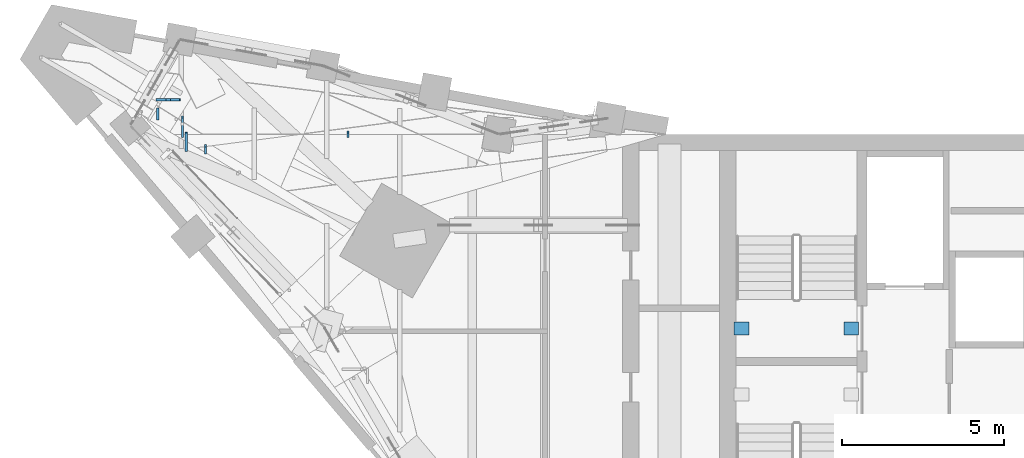
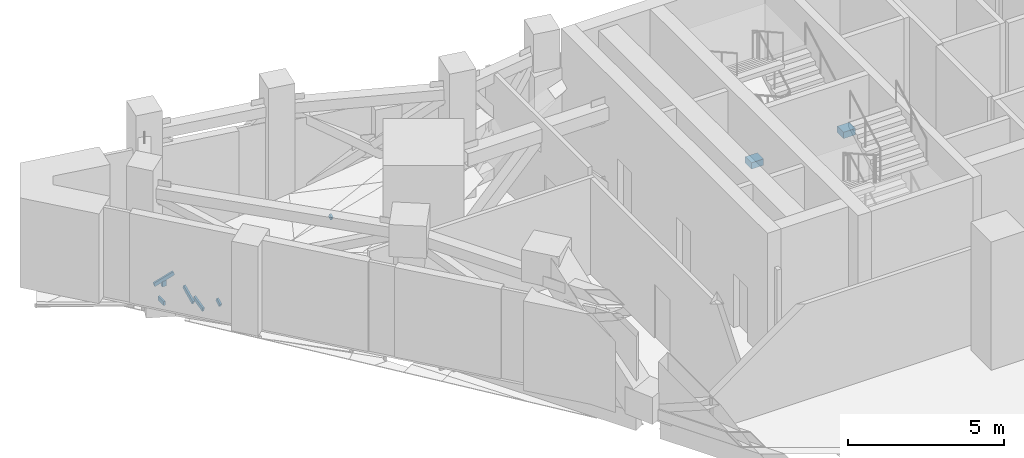
# One storey, part 6 of 22: 7 members, 2 beams, 1 element without a shape of its own.
"""IFC4 building model written with IfcOpenShell, lengths in metres."""

from ifc_helpers import new_model, si_unit, direction, frame, origin, origin_2d, place, context, subcontext, project, spatial, rectangle, extrude, material, material_profile, profile_set, type_object, element, aggregate, save


model = new_model("IFC4")

# Units and contexts
model_context = context("Model", 3, precision=1e-05, world=origin(), true_north=direction((0.0, 1.0)))
body_context = subcontext(model_context, "Body", "Model", "MODEL_VIEW")
ifc_project = project(units=[si_unit("LENGTHUNIT", "METRE"), si_unit("AREAUNIT", "SQUARE_METRE"), si_unit("VOLUMEUNIT", "CUBIC_METRE"), si_unit("PLANEANGLEUNIT", "RADIAN"), si_unit("MASSUNIT", "GRAM", prefix="KILO")], contexts=[model_context])

# Site, building, storey
site_placement = place(None, origin())
site = spatial("IfcSite", under=ifc_project, at=site_placement, CompositionType="ELEMENT")
building_placement = place(site_placement, origin())
building = spatial("IfcBuilding", under=site, at=building_placement, Name="Calabash Gate Tower", CompositionType="ELEMENT")
storey_placement = place(building_placement, frame((0.0, 0.0, 191.39990234375)))
storey = spatial("IfcBuildingStorey", under=building, at=storey_placement, Name="L45", CompositionType="ELEMENT", Elevation=191.39990234375)

# Beams
ifc_material_1 = material(Name="Concrete C60/75", Category="concrete")
ifc_material_profile_1 = material_profile(ifc_material_1, rectangle(XDim=0.39990234375, YDim=0.25, at=origin_2d()))
ifc_profile_set_1 = profile_set([ifc_material_profile_1], Name="Concrete C60/75")
beam_type = type_object("IfcBeamType", Name="Landing corbel RC 400x250 Concrete C60/75", PredefinedType="BEAM", material=ifc_profile_set_1)
for number, where, z_axis, x_axis, name in (
    (1, (-12.14990234375, 13.052978515625, 2.174072265625), (1.0, 0.0, 0.0), (0.0, 1.0, 0.0), "Landing corbel ST1-L45/L2 west"),
    (2, (-8.300048828125, 13.052978515625, 2.174072265625), (-1.0, 0.0, 0.0), (0.0, -1.0, 0.0), "Landing corbel ST1-L45/L2 east"),
):
    element("IfcBeam", number, at=place(storey_placement, frame(where, z_axis=z_axis, x_axis=x_axis)), inside=storey, type_object=beam_type, Name=name, PredefinedType="BEAM", context=body_context, shape_type="SweptSolid", body=[
        extrude(rectangle(XDim=0.39990234375, YDim=0.25, at=origin_2d()), origin(), (0.0, 0.0, 1.0), 0.449951171875),
    ])

# Curtain wall, members
ifc_material_2 = material(Name="Anodised aluminium frame, bronze finish, dark tinted laminated glass", Category="aluminium")
curtain_wall_type = type_object("IfcCurtainWallType", Name="Curtain wall CWD soffit glazing", PredefinedType="NOTDEFINED", material=ifc_material_2)
curtain_wall_placement = place(storey_placement, origin())
curtain_wall = element("IfcCurtainWall", 3, at=curtain_wall_placement, inside=storey, type_object=curtain_wall_type, Name="Curtain wall CWD soffit Z4 NW", PredefinedType="NOTDEFINED")
ifc_material_3 = material(Name="Anodised aluminium frame, bronze finish", Category="aluminium")
ifc_material_profile_2 = material_profile(ifc_material_3, rectangle(XDim=0.14990234375, YDim=0.070068359375, at=origin_2d()))
ifc_profile_set_2 = profile_set([ifc_material_profile_2], Name="Anodised aluminium frame, bronze finish")
member_type = type_object("IfcMemberType", Name="Soffit raking mullion 150x70", PredefinedType="MULLION", material=ifc_profile_set_2)
member_1_placement = place(storey_placement, frame((-29.98095703125, 19.5009765625, -0.9765625), z_axis=(0.0, 0.999989212208, 0.004644939937), x_axis=(0.0, -0.004644939937, 0.999989212208)))
member_1 = element("IfcMember", 4, at=member_1_placement, type_object=member_type, Name="Soffit joint mullion Z4 NW 1", PredefinedType="MULLION", context=body_context, shape_type="SweptSolid", body=[
    extrude(rectangle(XDim=0.14990234375, YDim=0.070068359375, at=origin_2d()), origin(), (0.0, 0.0, 1.0), 0.367919921875),
])
member_2_placement = place(storey_placement, frame((-24.093994140625, 18.992919921875, 0.58154296875), z_axis=(0.0, 0.903704560894, 0.428156591237), x_axis=(0.0, -0.428156591237, 0.903704560894)))
member_2 = element("IfcMember", 5, at=member_2_placement, type_object=member_type, Name="Soffit joint mullion Z4 NW 2", PredefinedType="MULLION", context=body_context, shape_type="SweptSolid", body=[
    extrude(rectangle(XDim=0.14990234375, YDim=0.070068359375, at=origin_2d()), origin(), (0.0, 0.0, 1.0), 0.1494140625),
])
member_3_placement = place(storey_placement, frame((-29.2900390625, 20.119384765625, -0.39208984375), z_axis=(-0.960343432932, 0.0, -0.278819817847), x_axis=(-0.278819817847, 0.0, 0.960343432932)))
member_3 = element("IfcMember", 6, at=member_3_placement, type_object=member_type, Name="Soffit joint mullion Z4 NW 3", PredefinedType="MULLION", context=body_context, shape_type="SweptSolid", body=[
    extrude(rectangle(XDim=0.14990234375, YDim=0.070068359375, at=origin_2d()), origin(), (0.0, 0.0, 1.0), 0.7548828125),
])
member_4_placement = place(storey_placement, frame((-29.652587890625, 20.119384765625, -0.5673828125), z_axis=(0.0, 0.0, -1.0), x_axis=(1.0, 0.0, 0.0)))
member_4 = element("IfcMember", 7, at=member_4_placement, type_object=member_type, Name="Soffit joint mullion Z4 NW 4", PredefinedType="MULLION", context=body_context, shape_type="SweptSolid", body=[
    extrude(rectangle(XDim=0.14990234375, YDim=0.070068359375, at=origin_2d()), origin(), (0.0, 0.0, 1.0), 0.216552734375),
])
member_5_placement = place(storey_placement, frame((-29.09912109375, 18.54736328125, -0.944580078125), z_axis=(0.0, 0.974546916819, 0.224183645518), x_axis=(0.0, -0.224183645518, 0.974546916819)))
member_5 = element("IfcMember", 8, at=member_5_placement, type_object=member_type, Name="Soffit joint mullion Z4 NW 5", PredefinedType="MULLION", context=body_context, shape_type="SweptSolid", body=[
    extrude(rectangle(XDim=0.14990234375, YDim=0.070068359375, at=origin_2d()), origin(), (0.0, 0.0, 1.0), 0.58056640625),
])
member_6_placement = place(storey_placement, frame((-29.21142578125, 18.992919921875, -0.904052734375), z_axis=(0.0, 0.903389181944, 0.428821624859), x_axis=(0.0, -0.428821624859, 0.903389181944)))
member_6 = element("IfcMember", 9, at=member_6_placement, type_object=member_type, Name="Soffit joint mullion Z4 NW 8", PredefinedType="MULLION", context=body_context, shape_type="SweptSolid", body=[
    extrude(rectangle(XDim=0.14990234375, YDim=0.070068359375, at=origin_2d()), origin(), (0.0, 0.0, 1.0), 0.656494140625),
])
member_7_placement = place(storey_placement, frame((-28.50146484375, 18.701904296875, -0.8359375), z_axis=(0.0, -0.87562161783, -0.482997704331), x_axis=(0.0, -0.482997704331, 0.87562161783)))
member_7 = element("IfcMember", 10, at=member_7_placement, type_object=member_type, Name="Soffit joint mullion Z4 NW 9", PredefinedType="MULLION", context=body_context, shape_type="SweptSolid", body=[
    extrude(rectangle(XDim=0.14990234375, YDim=0.070068359375, at=origin_2d()), origin(), (0.0, 0.0, 1.0), 0.2431640625),
])
aggregate(curtain_wall, [member_1, member_2, member_3, member_4, member_5, member_6, member_7])

save(model, "model.ifc")
